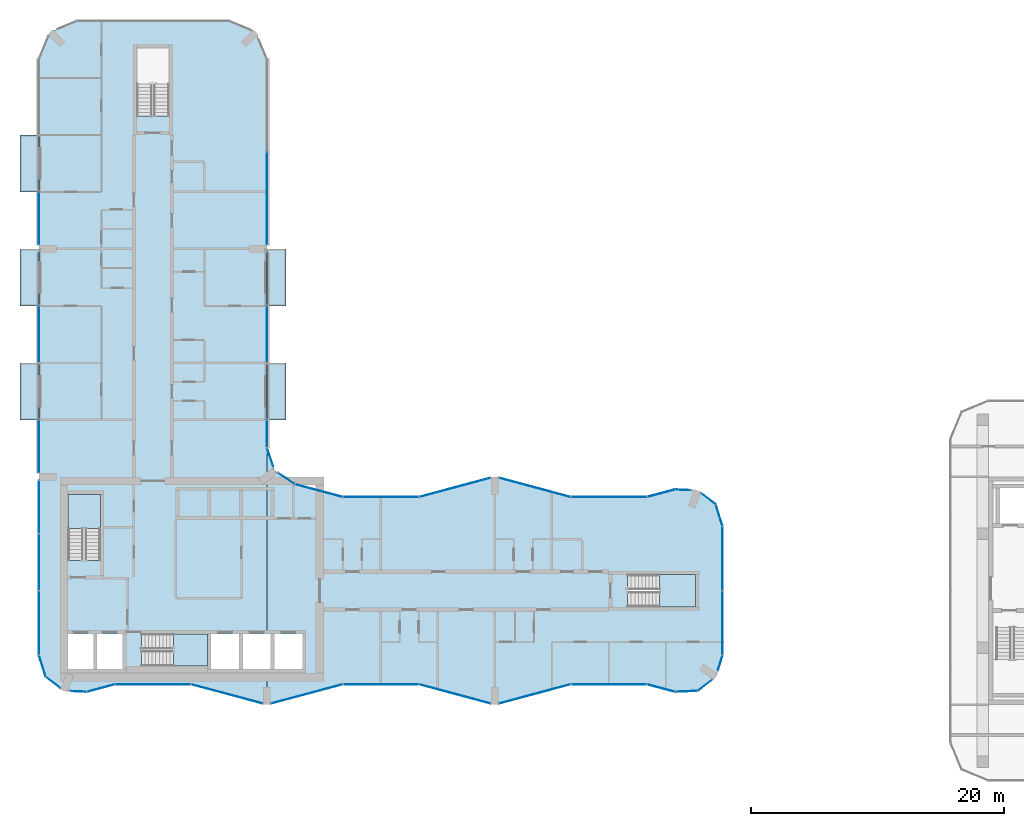
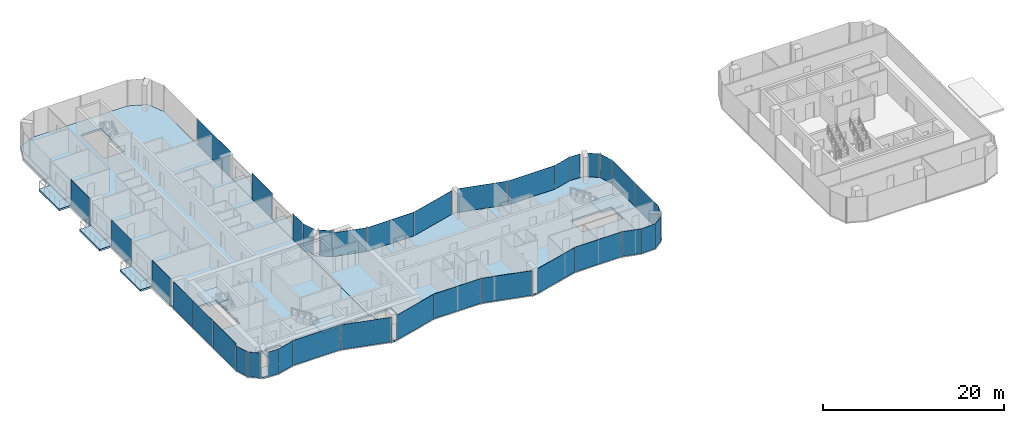
# One storey, part 9 of 19: 37 plates, 10 slabs, 37 elements without a shape of their own.
"""IFC4 building model written with IfcOpenShell, lengths in metres."""

from ifc_helpers import new_model, si_unit, direction, frame, origin, origin_2d, place, context, subcontext, project, spatial, polyline, rectangle, outline, extrude, material, layer, layer_set, type_object, element, aggregate, save


model = new_model("IFC4")

# Units and contexts
model_context = context("Model", 3, precision=1e-05, world=origin(), true_north=direction((0.0, 1.0)))
body_context = subcontext(model_context, "Body", "Model", "MODEL_VIEW")
ifc_project = project(units=[si_unit("LENGTHUNIT", "METRE"), si_unit("AREAUNIT", "SQUARE_METRE"), si_unit("VOLUMEUNIT", "CUBIC_METRE"), si_unit("PLANEANGLEUNIT", "RADIAN"), si_unit("MASSUNIT", "GRAM", prefix="KILO")], contexts=[model_context])

# Site, building, storey
site_placement = place(None, origin())
site = spatial("IfcSite", under=ifc_project, at=site_placement, CompositionType="ELEMENT")
building_placement = place(site_placement, origin())
building = spatial("IfcBuilding", under=site, at=building_placement, Name="Plateau Cross Towers", CompositionType="ELEMENT")
storey_placement = place(building_placement, frame((0.0, 0.0, 120.300048828125)))
storey = spatial("IfcBuildingStorey", under=building, at=storey_placement, Name="L31", CompositionType="ELEMENT", Elevation=120.300048828125)

# Slabs
ifc_material_1 = material(Name="Concrete C40/50", Category="concrete")
ifc_layer_1 = layer(ifc_material_1, 0.25)
ifc_layer_set_1 = layer_set([ifc_layer_1], Name="Concrete C40/50")
slab_type_1 = type_object("IfcSlabType", Name="Balcony slab 250", PredefinedType="FLOOR", material=ifc_layer_set_1)
slab_1_placement = place(storey_placement, frame((0.0, 0.0, -0.25)))
element("IfcSlab", 1, at=slab_1_placement, inside=storey, type_object=slab_type_1, Name="Balcony slab A-BAL-L31-01", PredefinedType="FLOOR", context=body_context, shape_type="SweptSolid", body=[
    extrude(outline(polyline([(0.0, 22.5), (0.0, 27.0), (-1.5, 27.0), (-1.5, 22.5), (0.0, 22.5)])), origin(), (0.0, 0.0, 1.0), 0.25),
])
slab_2_placement = place(storey_placement, frame((0.0, 0.0, -0.25)))
element("IfcSlab", 2, at=slab_2_placement, inside=storey, type_object=slab_type_1, Name="Balcony slab A-BAL-L31-02", PredefinedType="FLOOR", context=body_context, shape_type="SweptSolid", body=[
    extrude(outline(polyline([(0.0, 31.5), (0.0, 36.0), (-1.5, 36.0), (-1.5, 31.5), (0.0, 31.5)])), origin(), (0.0, 0.0, 1.0), 0.25),
])
slab_3_placement = place(storey_placement, frame((0.0, 0.0, -0.25)))
element("IfcSlab", 3, at=slab_3_placement, inside=storey, type_object=slab_type_1, Name="Balcony slab A-BAL-L31-03", PredefinedType="FLOOR", context=body_context, shape_type="SweptSolid", body=[
    extrude(outline(polyline([(0.0, 40.5), (0.0, 45.0), (-1.5, 45.0), (-1.5, 40.5), (0.0, 40.5)])), origin(), (0.0, 0.0, 1.0), 0.25),
])
slab_4_placement = place(storey_placement, frame((0.0, 0.0, -0.25)))
element("IfcSlab", 4, at=slab_4_placement, inside=storey, type_object=slab_type_1, Name="Balcony slab A-BAL-L31-04", PredefinedType="FLOOR", context=body_context, shape_type="SweptSolid", body=[
    extrude(outline(polyline([(19.5, 22.5), (19.5, 27.0), (18.0, 27.0), (18.0, 22.5), (19.5, 22.5)])), origin(), (0.0, 0.0, 1.0), 0.25),
])
slab_5_placement = place(storey_placement, frame((0.0, 0.0, -0.25)))
element("IfcSlab", 5, at=slab_5_placement, inside=storey, type_object=slab_type_1, Name="Balcony slab A-BAL-L31-05", PredefinedType="FLOOR", context=body_context, shape_type="SweptSolid", body=[
    extrude(outline(polyline([(19.5, 31.5), (19.5, 36.0), (18.0, 36.0), (18.0, 31.5), (19.5, 31.5)])), origin(), (0.0, 0.0, 1.0), 0.25),
])

# Curtain wall, plate
ifc_material_2 = material(Name="Dark low-iron glass", Category="glass")
ifc_layer_2 = layer(ifc_material_2, 0.239990234375)
ifc_layer_set_2 = layer_set([ifc_layer_2], Name="Dark low-iron glass")
curtain_wall_type_1 = type_object("IfcCurtainWallType", Name="Curtain wall flush unitised CW-B", PredefinedType="NOTDEFINED", material=ifc_layer_set_2)
curtain_wall_1_placement = place(storey_placement, origin())
curtain_wall_1 = element("IfcCurtainWall", 6, at=curtain_wall_1_placement, inside=storey, type_object=curtain_wall_type_1, Name="ENV/A/L31/A502_10", PredefinedType="NOTDEFINED")
ifc_layer_3 = layer(ifc_material_2, 0.031982421875)
ifc_layer_set_3 = layer_set([ifc_layer_3], Name="Dark low-iron glass")
plate_type_1 = type_object("IfcPlateType", Name="Glass panel 32 flush unitised", PredefinedType="CURTAIN_PANEL", material=ifc_layer_set_3)
plate_1_placement = place(storey_placement, frame((51.125, 1.05078125, -0.130126953125), z_axis=(0.0, 0.0, 1.0), x_axis=(0.999043701491, 0.043722791671, 0.0)))
plate_1 = element("IfcPlate", 7, at=plate_1_placement, type_object=plate_type_1, Name="CW-B panel 1", PredefinedType="CURTAIN_PANEL", context=body_context, shape_type="SweptSolid", body=[
    extrude(rectangle(XDim=1.744140625, YDim=0.031982421875, at=origin_2d()), origin(), (0.0, 0.0, 1.0), 3.330078125),
])
aggregate(curtain_wall_1, [plate_1])

curtain_wall_2_placement = place(storey_placement, origin())
curtain_wall_2 = element("IfcCurtainWall", 8, at=curtain_wall_2_placement, inside=storey, type_object=curtain_wall_type_1, Name="ENV/A/L31/A520_11", PredefinedType="NOTDEFINED")
plate_2_placement = place(storey_placement, frame((52.60986328125, 1.5380859375, -0.130126953125), z_axis=(0.0, 0.0, 1.0), x_axis=(0.793315514529, 0.608810721331, 0.0)))
plate_2 = element("IfcPlate", 9, at=plate_2_placement, type_object=plate_type_1, Name="CW-B panel 1", PredefinedType="CURTAIN_PANEL", context=body_context, shape_type="SweptSolid", body=[
    extrude(rectangle(XDim=1.41162109375, YDim=0.031982421875, at=origin_2d()), origin(), (0.0, 0.0, 1.0), 3.330078125),
])
aggregate(curtain_wall_2, [plate_2])

curtain_wall_3_placement = place(storey_placement, origin())
curtain_wall_3 = element("IfcCurtainWall", 10, at=curtain_wall_3_placement, inside=storey, type_object=curtain_wall_type_1, Name="ENV/A/L31/A536_27", PredefinedType="NOTDEFINED")
plate_3_placement = place(storey_placement, frame((53.805419921875, 3.292236328125, -0.130126953125), z_axis=(0.0, 0.0, 1.0), x_axis=(0.300686174994, 0.95372313811, 0.0)))
plate_3 = element("IfcPlate", 11, at=plate_3_placement, type_object=plate_type_1, Name="CW-B panel 1", PredefinedType="CURTAIN_PANEL", context=body_context, shape_type="SweptSolid", body=[
    extrude(rectangle(XDim=1.233642578125, YDim=0.031982421875, at=origin_2d()), origin(), (0.0, 0.0, 1.0), 3.330078125),
])
aggregate(curtain_wall_3, [plate_3])

# Curtain wall, plates
curtain_wall_4_placement = place(storey_placement, origin())
curtain_wall_4 = element("IfcCurtainWall", 12, at=curtain_wall_4_placement, inside=storey, type_object=curtain_wall_type_1, Name="ENV/A/L31/A540_39", PredefinedType="NOTDEFINED")
plate_4_placement = place(storey_placement, frame((54.0, 6.45458984375, -0.130126953125), z_axis=(0.0, 0.0, 1.0), x_axis=(0.0, 1.0, 0.0)))
plate_4 = element("IfcPlate", 13, at=plate_4_placement, type_object=plate_type_1, Name="CW-B panel 1", PredefinedType="CURTAIN_PANEL", context=body_context, shape_type="SweptSolid", body=[
    extrude(rectangle(XDim=5.03076171875, YDim=0.031982421875, at=origin_2d()), origin(), (0.0, 0.0, 1.0), 3.330078125),
])
plate_5_placement = place(storey_placement, frame((54.0, 11.54541015625, -0.130126953125), z_axis=(0.0, 0.0, 1.0), x_axis=(0.0, 1.0, 0.0)))
plate_5 = element("IfcPlate", 14, at=plate_5_placement, type_object=plate_type_1, Name="CW-B panel 2", PredefinedType="CURTAIN_PANEL", context=body_context, shape_type="SweptSolid", body=[
    extrude(rectangle(XDim=5.03076171875, YDim=0.031982421875, at=origin_2d()), origin(), (0.0, 0.0, 1.0), 3.330078125),
])
aggregate(curtain_wall_4, [plate_4, plate_5])

# Curtain wall, plate
curtain_wall_5_placement = place(storey_placement, origin())
curtain_wall_5 = element("IfcCurtainWall", 15, at=curtain_wall_5_placement, inside=storey, type_object=curtain_wall_type_1, Name="ENV/A/L31/A540_141", PredefinedType="NOTDEFINED")
plate_6_placement = place(storey_placement, frame((53.728759765625, 14.951171875, -0.130126953125), z_axis=(0.0, 0.0, 1.0), x_axis=(-0.300686174994, 0.95372313811, 0.0)))
plate_6 = element("IfcPlate", 16, at=plate_6_placement, type_object=plate_type_1, Name="CW-B panel 1", PredefinedType="CURTAIN_PANEL", context=body_context, shape_type="SweptSolid", body=[
    extrude(rectangle(XDim=1.744140625, YDim=0.031982421875, at=origin_2d()), origin(), (0.0, 0.0, 1.0), 3.330078125),
])
aggregate(curtain_wall_5, [plate_6])

curtain_wall_6_placement = place(storey_placement, origin())
curtain_wall_6 = element("IfcCurtainWall", 17, at=curtain_wall_6_placement, inside=storey, type_object=curtain_wall_type_1, Name="ENV/A/L31/A535_158", PredefinedType="NOTDEFINED")
plate_7_placement = place(storey_placement, frame((52.873779296875, 16.25927734375, -0.130126953125), z_axis=(0.0, 0.0, 1.0), x_axis=(-0.793315514529, 0.608810721331, 0.0)))
plate_7 = element("IfcPlate", 18, at=plate_7_placement, type_object=plate_type_1, Name="CW-B panel 1", PredefinedType="CURTAIN_PANEL", context=body_context, shape_type="SweptSolid", body=[
    extrude(rectangle(XDim=1.41162109375, YDim=0.031982421875, at=origin_2d()), origin(), (0.0, 0.0, 1.0), 3.330078125),
])
aggregate(curtain_wall_6, [plate_7])

curtain_wall_7_placement = place(storey_placement, origin())
curtain_wall_7 = element("IfcCurtainWall", 19, at=curtain_wall_7_placement, inside=storey, type_object=curtain_wall_type_1, Name="ENV/A/L31/A515_169", PredefinedType="NOTDEFINED")
plate_8_placement = place(storey_placement, frame((50.8701171875, 16.96044921875, -0.130126953125), z_axis=(0.0, 0.0, 1.0), x_axis=(-0.999043701491, 0.043722791671, 0.0)))
plate_8 = element("IfcPlate", 20, at=plate_8_placement, type_object=plate_type_1, Name="CW-B panel 1", PredefinedType="CURTAIN_PANEL", context=body_context, shape_type="SweptSolid", body=[
    extrude(rectangle(XDim=1.233642578125, YDim=0.031982421875, at=origin_2d()), origin(), (0.0, 0.0, 1.0), 3.330078125),
])
aggregate(curtain_wall_7, [plate_8])

curtain_wall_8_placement = place(storey_placement, origin())
curtain_wall_8 = element("IfcCurtainWall", 21, at=curtain_wall_8_placement, inside=storey, type_object=curtain_wall_type_1, Name="ENV/A/L31/A202_174", PredefinedType="NOTDEFINED")
plate_9_placement = place(storey_placement, frame((19.546630859375, 17.856689453125, -0.1298828125), z_axis=(0.0, 0.0, 1.0), x_axis=(-0.831521253329, 0.555492938984, 0.0)))
plate_9 = element("IfcPlate", 22, at=plate_9_placement, type_object=plate_type_1, Name="CW-B panel 1", PredefinedType="CURTAIN_PANEL", context=body_context, shape_type="SweptSolid", body=[
    extrude(rectangle(XDim=1.56884765625, YDim=0.031982421875, at=origin_2d()), origin(), (0.0, 0.0, 1.0), 3.6298828125),
])
aggregate(curtain_wall_8, [plate_9])

curtain_wall_9_placement = place(storey_placement, origin())
curtain_wall_9 = element("IfcCurtainWall", 23, at=curtain_wall_9_placement, inside=storey, type_object=curtain_wall_type_1, Name="ENV/A/L31/A185_188", PredefinedType="NOTDEFINED")
plate_10_placement = place(storey_placement, frame((18.26171875, 19.531005859375, -0.1298828125), z_axis=(0.0, 0.0, 1.0), x_axis=(-0.321469161574, 0.94692004845, 0.0)))
plate_10 = element("IfcPlate", 24, at=plate_10_placement, type_object=plate_type_1, Name="CW-B panel 1", PredefinedType="CURTAIN_PANEL", context=body_context, shape_type="SweptSolid", body=[
    extrude(rectangle(XDim=1.56884765625, YDim=0.031982421875, at=origin_2d()), origin(), (0.0, 0.0, 1.0), 3.6298828125),
])
aggregate(curtain_wall_9, [plate_10])

curtain_wall_10_placement = place(storey_placement, origin())
curtain_wall_10 = element("IfcCurtainWall", 25, at=curtain_wall_10_placement, inside=storey, type_object=curtain_wall_type_1, Name="ENV/A/L31/A180_203", PredefinedType="NOTDEFINED")
plate_11_placement = place(storey_placement, frame((18.0, 21.396240234375, -0.1298828125), z_axis=(0.0, 0.0, 1.0), x_axis=(0.0, 1.0, 0.0)))
plate_11 = element("IfcPlate", 26, at=plate_11_placement, type_object=plate_type_1, Name="CW-B panel 1", PredefinedType="CURTAIN_PANEL", context=body_context, shape_type="SweptSolid", body=[
    extrude(rectangle(XDim=2.127685546875, YDim=0.031982421875, at=origin_2d()), origin(), (0.0, 0.0, 1.0), 3.6298828125),
])
aggregate(curtain_wall_10, [plate_11])

curtain_wall_11_placement = place(storey_placement, origin())
curtain_wall_11 = element("IfcCurtainWall", 27, at=curtain_wall_11_placement, inside=storey, type_object=curtain_wall_type_1, Name="ENV/A/L31/A180_270", PredefinedType="NOTDEFINED")
plate_12_placement = place(storey_placement, frame((18.0, 29.25, -0.1298828125), z_axis=(0.0, 0.0, 1.0), x_axis=(0.0, 1.0, 0.0)))
plate_12 = element("IfcPlate", 28, at=plate_12_placement, type_object=plate_type_1, Name="CW-B panel 1", PredefinedType="CURTAIN_PANEL", context=body_context, shape_type="SweptSolid", body=[
    extrude(rectangle(XDim=4.419921875, YDim=0.031982421875, at=origin_2d()), origin(), (0.0, 0.0, 1.0), 3.6298828125),
])
aggregate(curtain_wall_11, [plate_12])

curtain_wall_12_placement = place(storey_placement, origin())
curtain_wall_12 = element("IfcCurtainWall", 29, at=curtain_wall_12_placement, inside=storey, type_object=curtain_wall_type_1, Name="ENV/A/L31/A180_363", PredefinedType="NOTDEFINED")
plate_13_placement = place(storey_placement, frame((18.0, 39.97509765625, -0.1298828125), z_axis=(0.0, 0.0, 1.0), x_axis=(0.0, 1.0, 0.0)))
plate_13 = element("IfcPlate", 30, at=plate_13_placement, type_object=plate_type_1, Name="CW-B panel 1", PredefinedType="CURTAIN_PANEL", context=body_context, shape_type="SweptSolid", body=[
    extrude(rectangle(XDim=7.2900390625, YDim=0.031982421875, at=origin_2d()), origin(), (0.0, 0.0, 1.0), 3.6298828125),
])
aggregate(curtain_wall_12, [plate_13])

curtain_wall_13_placement = place(storey_placement, origin())
curtain_wall_13 = element("IfcCurtainWall", 31, at=curtain_wall_13_placement, inside=storey, type_object=curtain_wall_type_1, Name="ENV/A/L31/A0_405", PredefinedType="NOTDEFINED")
plate_14_placement = place(storey_placement, frame((0.0, 38.39501953125, -0.1298828125), z_axis=(0.0, 0.0, 1.0), x_axis=(0.0, -1.0, 0.0)))
plate_14 = element("IfcPlate", 32, at=plate_14_placement, type_object=plate_type_1, Name="CW-B panel 1", PredefinedType="CURTAIN_PANEL", context=body_context, shape_type="SweptSolid", body=[
    extrude(rectangle(XDim=4.1298828125, YDim=0.031982421875, at=origin_2d()), origin(), (0.0, 0.0, 1.0), 3.6298828125),
])
aggregate(curtain_wall_13, [plate_14])

curtain_wall_14_placement = place(storey_placement, origin())
curtain_wall_14 = element("IfcCurtainWall", 33, at=curtain_wall_14_placement, inside=storey, type_object=curtain_wall_type_1, Name="ENV/A/L31/A0_315", PredefinedType="NOTDEFINED")
plate_15_placement = place(storey_placement, frame((0.0, 29.25, -0.1298828125), z_axis=(0.0, 0.0, 1.0), x_axis=(0.0, -1.0, 0.0)))
plate_15 = element("IfcPlate", 34, at=plate_15_placement, type_object=plate_type_1, Name="CW-B panel 1", PredefinedType="CURTAIN_PANEL", context=body_context, shape_type="SweptSolid", body=[
    extrude(rectangle(XDim=4.419921875, YDim=0.031982421875, at=origin_2d()), origin(), (0.0, 0.0, 1.0), 3.6298828125),
])
aggregate(curtain_wall_14, [plate_15])

curtain_wall_15_placement = place(storey_placement, origin())
curtain_wall_15 = element("IfcCurtainWall", 35, at=curtain_wall_15_placement, inside=storey, type_object=curtain_wall_type_1, Name="ENV/A/L31/A0_225", PredefinedType="NOTDEFINED")
plate_16_placement = place(storey_placement, frame((0.0, 20.39501953125, -0.1298828125), z_axis=(0.0, 0.0, 1.0), x_axis=(0.0, -1.0, 0.0)))
plate_16 = element("IfcPlate", 36, at=plate_16_placement, type_object=plate_type_1, Name="CW-B panel 1", PredefinedType="CURTAIN_PANEL", context=body_context, shape_type="SweptSolid", body=[
    extrude(rectangle(XDim=4.1298828125, YDim=0.031982421875, at=origin_2d()), origin(), (0.0, 0.0, 1.0), 3.6298828125),
])
aggregate(curtain_wall_15, [plate_16])

# Curtain wall, plates
curtain_wall_16_placement = place(storey_placement, origin())
curtain_wall_16 = element("IfcCurtainWall", 37, at=curtain_wall_16_placement, inside=storey, type_object=curtain_wall_type_1, Name="ENV/A/L31/A0_177", PredefinedType="NOTDEFINED")
plate_17_placement = place(storey_placement, frame((0.0, 15.60009765625, -0.1298828125), z_axis=(0.0, 0.0, 1.0), x_axis=(0.0, -1.0, 0.0)))
plate_17 = element("IfcPlate", 38, at=plate_17_placement, type_object=plate_type_1, Name="CW-B panel 1", PredefinedType="CURTAIN_PANEL", context=body_context, shape_type="SweptSolid", body=[
    extrude(rectangle(XDim=4.139892578125, YDim=0.031982421875, at=origin_2d()), origin(), (0.0, 0.0, 1.0), 3.6298828125),
])
plate_18_placement = place(storey_placement, frame((0.0, 11.25, -0.1298828125), z_axis=(0.0, 0.0, 1.0), x_axis=(0.0, -1.0, 0.0)))
plate_18 = element("IfcPlate", 39, at=plate_18_placement, type_object=plate_type_1, Name="CW-B panel 2", PredefinedType="CURTAIN_PANEL", context=body_context, shape_type="SweptSolid", body=[
    extrude(rectangle(XDim=4.43994140625, YDim=0.031982421875, at=origin_2d()), origin(), (0.0, 0.0, 1.0), 3.6298828125),
])
plate_19_placement = place(storey_placement, frame((0.0, 6.45458984375, -0.1298828125), z_axis=(0.0, 0.0, 1.0), x_axis=(0.0, -1.0, 0.0)))
plate_19 = element("IfcPlate", 40, at=plate_19_placement, type_object=plate_type_1, Name="CW-B panel 3", PredefinedType="CURTAIN_PANEL", context=body_context, shape_type="SweptSolid", body=[
    extrude(rectangle(XDim=5.03076171875, YDim=0.031982421875, at=origin_2d()), origin(), (0.0, 0.0, 1.0), 3.6298828125),
])
aggregate(curtain_wall_16, [plate_17, plate_18, plate_19])

# Curtain wall, plate
curtain_wall_17_placement = place(storey_placement, origin())
curtain_wall_17 = element("IfcCurtainWall", 41, at=curtain_wall_17_placement, inside=storey, type_object=curtain_wall_type_1, Name="ENV/A/L31/A0_39", PredefinedType="NOTDEFINED")
plate_20_placement = place(storey_placement, frame((0.271240234375, 3.048828125, -0.130126953125), z_axis=(0.0, 0.0, 1.0), x_axis=(0.300686174994, -0.95372313811, 0.0)))
plate_20 = element("IfcPlate", 42, at=plate_20_placement, type_object=plate_type_1, Name="CW-B panel 1", PredefinedType="CURTAIN_PANEL", context=body_context, shape_type="SweptSolid", body=[
    extrude(rectangle(XDim=1.744140625, YDim=0.031982421875, at=origin_2d()), origin(), (0.0, 0.0, 1.0), 3.330078125),
])
aggregate(curtain_wall_17, [plate_20])

curtain_wall_18_placement = place(storey_placement, origin())
curtain_wall_18 = element("IfcCurtainWall", 43, at=curtain_wall_18_placement, inside=storey, type_object=curtain_wall_type_1, Name="ENV/A/L31/A5_22", PredefinedType="NOTDEFINED")
plate_21_placement = place(storey_placement, frame((1.126220703125, 1.74072265625, -0.130126953125), z_axis=(0.0, 0.0, 1.0), x_axis=(0.793315514529, -0.608810721331, 0.0)))
plate_21 = element("IfcPlate", 44, at=plate_21_placement, type_object=plate_type_1, Name="CW-B panel 1", PredefinedType="CURTAIN_PANEL", context=body_context, shape_type="SweptSolid", body=[
    extrude(rectangle(XDim=1.41162109375, YDim=0.031982421875, at=origin_2d()), origin(), (0.0, 0.0, 1.0), 3.330078125),
])
aggregate(curtain_wall_18, [plate_21])

curtain_wall_19_placement = place(storey_placement, origin())
curtain_wall_19 = element("IfcCurtainWall", 45, at=curtain_wall_19_placement, inside=storey, type_object=curtain_wall_type_1, Name="ENV/A/L31/A25_11", PredefinedType="NOTDEFINED")
plate_22_placement = place(storey_placement, frame((3.1298828125, 1.03955078125, -0.130126953125), z_axis=(0.0, 0.0, 1.0), x_axis=(0.999043701491, -0.043722791671, 0.0)))
plate_22 = element("IfcPlate", 46, at=plate_22_placement, type_object=plate_type_1, Name="CW-B panel 1", PredefinedType="CURTAIN_PANEL", context=body_context, shape_type="SweptSolid", body=[
    extrude(rectangle(XDim=1.233642578125, YDim=0.031982421875, at=origin_2d()), origin(), (0.0, 0.0, 1.0), 3.330078125),
])
aggregate(curtain_wall_19, [plate_22])

ifc_layer_4 = layer(ifc_material_2, 0.260009765625)
ifc_layer_set_4 = layer_set([ifc_layer_4], Name="Dark low-iron glass")
curtain_wall_type_2 = type_object("IfcCurtainWallType", Name="Curtain wall fluted unitised CW-A", PredefinedType="NOTDEFINED", material=ifc_layer_set_4)
curtain_wall_20_placement = place(storey_placement, origin())
curtain_wall_20 = element("IfcCurtainWall", 47, at=curtain_wall_20_placement, inside=storey, type_object=curtain_wall_type_2, Name="ENV/A/L31/A38_10", PredefinedType="NOTDEFINED")
ifc_layer_5 = layer(ifc_material_2, 0.035888671875)
ifc_layer_set_5 = layer_set([ifc_layer_5], Name="Dark low-iron glass")
plate_type_2 = type_object("IfcPlateType", Name="Glass panel 36 fluted unitised", PredefinedType="CURTAIN_PANEL", material=ifc_layer_set_5)
plate_23_placement = place(storey_placement, frame((4.887939453125, 1.30908203125, -0.130126953125), z_axis=(0.0, 0.0, 1.0), x_axis=(0.965957962328, 0.258699081978, 0.0)))
plate_23 = element("IfcPlate", 48, at=plate_23_placement, type_object=plate_type_2, Name="CW-A panel 1", PredefinedType="CURTAIN_PANEL", context=body_context, shape_type="SweptSolid", body=[
    extrude(rectangle(XDim=2.2421875, YDim=0.035888671875, at=origin_2d()), origin(), (0.0, 0.0, 1.0), 3.330078125),
])
aggregate(curtain_wall_20, [plate_23])

curtain_wall_21_placement = place(storey_placement, origin())
curtain_wall_21 = element("IfcCurtainWall", 49, at=curtain_wall_21_placement, inside=storey, type_object=curtain_wall_type_2, Name="ENV/A/L31/A60_16", PredefinedType="NOTDEFINED")
plate_24_placement = place(storey_placement, frame((9.0, 1.60693359375, -0.130126953125), z_axis=(0.0, 0.0, 1.0), x_axis=(1.0, 0.0, 0.0)))
plate_24 = element("IfcPlate", 50, at=plate_24_placement, type_object=plate_type_2, Name="CW-A panel 1", PredefinedType="CURTAIN_PANEL", context=body_context, shape_type="SweptSolid", body=[
    extrude(rectangle(XDim=5.93994140625, YDim=0.035888671875, at=origin_2d()), origin(), (0.0, 0.0, 1.0), 3.330078125),
])
aggregate(curtain_wall_21, [plate_24])

curtain_wall_22_placement = place(storey_placement, origin())
curtain_wall_22 = element("IfcCurtainWall", 51, at=curtain_wall_22_placement, inside=storey, type_object=curtain_wall_type_2, Name="ENV/A/L31/A120_16", PredefinedType="NOTDEFINED")
plate_25_placement = place(storey_placement, frame((14.841064453125, 0.845947265625, -0.130126953125), z_axis=(0.0, 0.0, 1.0), x_axis=(0.965957983404, -0.258699003279, 0.0)))
plate_25 = element("IfcPlate", 52, at=plate_25_placement, type_object=plate_type_2, Name="CW-A panel 1", PredefinedType="CURTAIN_PANEL", context=body_context, shape_type="SweptSolid", body=[
    extrude(rectangle(XDim=5.822265625, YDim=0.035888671875, at=origin_2d()), origin(), (0.0, 0.0, 1.0), 3.330078125),
])
aggregate(curtain_wall_22, [plate_25])

curtain_wall_23_placement = place(storey_placement, origin())
curtain_wall_23 = element("IfcCurtainWall", 53, at=curtain_wall_23_placement, inside=storey, type_object=curtain_wall_type_2, Name="ENV/A/L31/A183_1", PredefinedType="NOTDEFINED")
plate_26_placement = place(storey_placement, frame((21.158935546875, 0.845947265625, -0.130126953125), z_axis=(0.0, 0.0, 1.0), x_axis=(0.965957983404, 0.258699003279, 0.0)))
plate_26 = element("IfcPlate", 54, at=plate_26_placement, type_object=plate_type_2, Name="CW-A panel 1", PredefinedType="CURTAIN_PANEL", context=body_context, shape_type="SweptSolid", body=[
    extrude(rectangle(XDim=5.822265625, YDim=0.035888671875, at=origin_2d()), origin(), (0.0, 0.0, 1.0), 3.330078125),
])
aggregate(curtain_wall_23, [plate_26])

curtain_wall_24_placement = place(storey_placement, origin())
curtain_wall_24 = element("IfcCurtainWall", 55, at=curtain_wall_24_placement, inside=storey, type_object=curtain_wall_type_2, Name="ENV/A/L31/A240_16", PredefinedType="NOTDEFINED")
plate_27_placement = place(storey_placement, frame((27.0, 1.60693359375, -0.130126953125), z_axis=(0.0, 0.0, 1.0), x_axis=(1.0, 0.0, 0.0)))
plate_27 = element("IfcPlate", 56, at=plate_27_placement, type_object=plate_type_2, Name="CW-A panel 1", PredefinedType="CURTAIN_PANEL", context=body_context, shape_type="SweptSolid", body=[
    extrude(rectangle(XDim=5.93994140625, YDim=0.035888671875, at=origin_2d()), origin(), (0.0, 0.0, 1.0), 3.330078125),
])
aggregate(curtain_wall_24, [plate_27])

curtain_wall_25_placement = place(storey_placement, origin())
curtain_wall_25 = element("IfcCurtainWall", 57, at=curtain_wall_25_placement, inside=storey, type_object=curtain_wall_type_2, Name="ENV/A/L31/A300_16", PredefinedType="NOTDEFINED")
plate_28_placement = place(storey_placement, frame((32.841064453125, 0.845947265625, -0.130126953125), z_axis=(0.0, 0.0, 1.0), x_axis=(0.965957983404, -0.258699003279, 0.0)))
plate_28 = element("IfcPlate", 58, at=plate_28_placement, type_object=plate_type_2, Name="CW-A panel 1", PredefinedType="CURTAIN_PANEL", context=body_context, shape_type="SweptSolid", body=[
    extrude(rectangle(XDim=5.822265625, YDim=0.035888671875, at=origin_2d()), origin(), (0.0, 0.0, 1.0), 3.330078125),
])
aggregate(curtain_wall_25, [plate_28])

curtain_wall_26_placement = place(storey_placement, origin())
curtain_wall_26 = element("IfcCurtainWall", 59, at=curtain_wall_26_placement, inside=storey, type_object=curtain_wall_type_2, Name="ENV/A/L31/A363_1", PredefinedType="NOTDEFINED")
plate_29_placement = place(storey_placement, frame((39.158935546875, 0.845947265625, -0.130126953125), z_axis=(0.0, 0.0, 1.0), x_axis=(0.965957983404, 0.258699003279, 0.0)))
plate_29 = element("IfcPlate", 60, at=plate_29_placement, type_object=plate_type_2, Name="CW-A panel 1", PredefinedType="CURTAIN_PANEL", context=body_context, shape_type="SweptSolid", body=[
    extrude(rectangle(XDim=5.822265625, YDim=0.035888671875, at=origin_2d()), origin(), (0.0, 0.0, 1.0), 3.330078125),
])
aggregate(curtain_wall_26, [plate_29])

curtain_wall_27_placement = place(storey_placement, origin())
curtain_wall_27 = element("IfcCurtainWall", 61, at=curtain_wall_27_placement, inside=storey, type_object=curtain_wall_type_2, Name="ENV/A/L31/A420_16", PredefinedType="NOTDEFINED")
plate_30_placement = place(storey_placement, frame((45.0, 1.60693359375, -0.130126953125), z_axis=(0.0, 0.0, 1.0), x_axis=(1.0, 0.0, 0.0)))
plate_30 = element("IfcPlate", 62, at=plate_30_placement, type_object=plate_type_2, Name="CW-A panel 1", PredefinedType="CURTAIN_PANEL", context=body_context, shape_type="SweptSolid", body=[
    extrude(rectangle(XDim=5.93994140625, YDim=0.035888671875, at=origin_2d()), origin(), (0.0, 0.0, 1.0), 3.330078125),
])
aggregate(curtain_wall_27, [plate_30])

curtain_wall_28_placement = place(storey_placement, origin())
curtain_wall_28 = element("IfcCurtainWall", 63, at=curtain_wall_28_placement, inside=storey, type_object=curtain_wall_type_2, Name="ENV/A/L31/A480_16", PredefinedType="NOTDEFINED")
plate_31_placement = place(storey_placement, frame((49.112060546875, 1.30908203125, -0.130126953125), z_axis=(0.0, 0.0, 1.0), x_axis=(0.965957962328, -0.258699081978, 0.0)))
plate_31 = element("IfcPlate", 64, at=plate_31_placement, type_object=plate_type_2, Name="CW-A panel 1", PredefinedType="CURTAIN_PANEL", context=body_context, shape_type="SweptSolid", body=[
    extrude(rectangle(XDim=2.2421875, YDim=0.035888671875, at=origin_2d()), origin(), (0.0, 0.0, 1.0), 3.330078125),
])
aggregate(curtain_wall_28, [plate_31])

curtain_wall_29_placement = place(storey_placement, origin())
curtain_wall_29 = element("IfcCurtainWall", 65, at=curtain_wall_29_placement, inside=storey, type_object=curtain_wall_type_2, Name="ENV/A/L31/A502_170", PredefinedType="NOTDEFINED")
plate_32_placement = place(storey_placement, frame((49.112060546875, 16.69091796875, -0.130126953125), z_axis=(0.0, 0.0, 1.0), x_axis=(-0.965957962328, -0.258699081978, 0.0)))
plate_32 = element("IfcPlate", 66, at=plate_32_placement, type_object=plate_type_2, Name="CW-A panel 1", PredefinedType="CURTAIN_PANEL", context=body_context, shape_type="SweptSolid", body=[
    extrude(rectangle(XDim=2.2421875, YDim=0.035888671875, at=origin_2d()), origin(), (0.0, 0.0, 1.0), 3.330078125),
])
aggregate(curtain_wall_29, [plate_32])

curtain_wall_30_placement = place(storey_placement, origin())
curtain_wall_30 = element("IfcCurtainWall", 67, at=curtain_wall_30_placement, inside=storey, type_object=curtain_wall_type_2, Name="ENV/A/L31/A480_164", PredefinedType="NOTDEFINED")
plate_33_placement = place(storey_placement, frame((45.0, 16.39306640625, -0.130126953125), z_axis=(0.0, 0.0, 1.0), x_axis=(-1.0, 0.0, 0.0)))
plate_33 = element("IfcPlate", 68, at=plate_33_placement, type_object=plate_type_2, Name="CW-A panel 1", PredefinedType="CURTAIN_PANEL", context=body_context, shape_type="SweptSolid", body=[
    extrude(rectangle(XDim=5.93994140625, YDim=0.035888671875, at=origin_2d()), origin(), (0.0, 0.0, 1.0), 3.330078125),
])
aggregate(curtain_wall_30, [plate_33])

curtain_wall_31_placement = place(storey_placement, origin())
curtain_wall_31 = element("IfcCurtainWall", 69, at=curtain_wall_31_placement, inside=storey, type_object=curtain_wall_type_2, Name="ENV/A/L31/A420_164", PredefinedType="NOTDEFINED")
plate_34_placement = place(storey_placement, frame((39.158935546875, 17.154052734375, -0.130126953125), z_axis=(0.0, 0.0, 1.0), x_axis=(-0.965957983404, 0.258699003279, 0.0)))
plate_34 = element("IfcPlate", 70, at=plate_34_placement, type_object=plate_type_2, Name="CW-A panel 1", PredefinedType="CURTAIN_PANEL", context=body_context, shape_type="SweptSolid", body=[
    extrude(rectangle(XDim=5.822265625, YDim=0.035888671875, at=origin_2d()), origin(), (0.0, 0.0, 1.0), 3.330078125),
])
aggregate(curtain_wall_31, [plate_34])

curtain_wall_32_placement = place(storey_placement, origin())
curtain_wall_32 = element("IfcCurtainWall", 71, at=curtain_wall_32_placement, inside=storey, type_object=curtain_wall_type_2, Name="ENV/A/L31/A357_179", PredefinedType="NOTDEFINED")
plate_35_placement = place(storey_placement, frame((32.841064453125, 17.154052734375, -0.130126953125), z_axis=(0.0, 0.0, 1.0), x_axis=(-0.965957983404, -0.258699003279, 0.0)))
plate_35 = element("IfcPlate", 72, at=plate_35_placement, type_object=plate_type_2, Name="CW-A panel 1", PredefinedType="CURTAIN_PANEL", context=body_context, shape_type="SweptSolid", body=[
    extrude(rectangle(XDim=5.822265625, YDim=0.035888671875, at=origin_2d()), origin(), (0.0, 0.0, 1.0), 3.330078125),
])
aggregate(curtain_wall_32, [plate_35])

curtain_wall_33_placement = place(storey_placement, origin())
curtain_wall_33 = element("IfcCurtainWall", 73, at=curtain_wall_33_placement, inside=storey, type_object=curtain_wall_type_2, Name="ENV/A/L31/A300_164", PredefinedType="NOTDEFINED")
plate_36_placement = place(storey_placement, frame((27.0, 16.39306640625, -0.130126953125), z_axis=(0.0, 0.0, 1.0), x_axis=(-1.0, 0.0, 0.0)))
plate_36 = element("IfcPlate", 74, at=plate_36_placement, type_object=plate_type_2, Name="CW-A panel 1", PredefinedType="CURTAIN_PANEL", context=body_context, shape_type="SweptSolid", body=[
    extrude(rectangle(XDim=5.93994140625, YDim=0.035888671875, at=origin_2d()), origin(), (0.0, 0.0, 1.0), 3.330078125),
])
aggregate(curtain_wall_33, [plate_36])

curtain_wall_34_placement = place(storey_placement, origin())
curtain_wall_34 = element("IfcCurtainWall", 75, at=curtain_wall_34_placement, inside=storey, type_object=curtain_wall_type_2, Name="ENV/A/L31/A240_164", PredefinedType="NOTDEFINED")
plate_37_placement = place(storey_placement, frame((22.112060546875, 16.898681640625, -0.130126953125), z_axis=(0.0, 0.0, 1.0), x_axis=(-0.965957995816, 0.258698956933, 0.0)))
plate_37 = element("IfcPlate", 76, at=plate_37_placement, type_object=plate_type_2, Name="CW-A panel 1", PredefinedType="CURTAIN_PANEL", context=body_context, shape_type="SweptSolid", body=[
    extrude(rectangle(XDim=3.84912109375, YDim=0.035888671875, at=origin_2d()), origin(), (0.0, 0.0, 1.0), 3.330078125),
])
aggregate(curtain_wall_34, [plate_37])

# Slabs
ifc_layer_6 = layer(ifc_material_1, 0.25)
ifc_layer_set_6 = layer_set([ifc_layer_6], Name="Concrete C40/50")
slab_type_2 = type_object("IfcSlabType", Name="Post-tensioned flat plate slab 250", PredefinedType="FLOOR", material=ifc_layer_set_6)
slab_6_placement = place(storey_placement, frame((0.0, 0.0, -0.25)))
element("IfcSlab", 77, at=slab_6_placement, inside=storey, type_object=slab_type_2, Name="SL-A-L31 1", PredefinedType="FLOOR", context=body_context, shape_type="SweptSolid", body=[
    extrude(outline(polyline([(0.54248046875, 2.1884765625), (0.0, 3.9091796875), (0.0, 51.0), (0.878662109375, 53.121337890625), (3.0, 54.0), (15.0, 54.0), (17.121337890625, 53.121337890625), (18.0, 51.0), (18.0, 20.30224609375), (18.0, 5.60009765625), (16.10009765625, 5.60009765625), (16.10009765625, 2.800048828125), (18.0, 2.800048828125), (18.0, 0.0), (12.0, 1.60693359375), (6.0, 1.60693359375), (3.776123046875, 1.01123046875), (1.9736328125, 1.090087890625), (0.54248046875, 2.1884765625)]), holes=[polyline([(4.300048828125, 5.60009765625), (2.300048828125, 5.60009765625), (2.300048828125, 2.800048828125), (4.300048828125, 2.800048828125), (4.300048828125, 5.60009765625)]), polyline([(6.60009765625, 5.60009765625), (4.60009765625, 5.60009765625), (4.60009765625, 2.800048828125), (6.60009765625, 2.800048828125), (6.60009765625, 5.60009765625)]), polyline([(15.800048828125, 5.60009765625), (13.60009765625, 5.60009765625), (13.60009765625, 2.800048828125), (15.800048828125, 2.800048828125), (15.800048828125, 5.60009765625)]), polyline([(13.300048828125, 5.60009765625), (8.10009765625, 5.60009765625), (8.10009765625, 3.050048828125), (13.300048828125, 3.050048828125), (13.300048828125, 5.60009765625)]), polyline([(4.85009765625, 16.60009765625), (2.300048828125, 16.60009765625), (2.300048828125, 11.39990234375), (4.85009765625, 11.39990234375), (4.85009765625, 16.60009765625)]), polyline([(10.27490234375, 51.699951171875), (7.72509765625, 51.699951171875), (7.72509765625, 46.5), (10.27490234375, 46.5), (10.27490234375, 51.699951171875)])]), origin(), (0.0, 0.0, 1.0), 0.25),
])
slab_7_placement = place(storey_placement, frame((0.0, 0.0, -0.25)))
element("IfcSlab", 78, at=slab_7_placement, inside=storey, type_object=slab_type_2, Name="SL-A-L31 2", PredefinedType="FLOOR", context=body_context, shape_type="SweptSolid", body=[
    extrude(outline(polyline([(18.6201171875, 18.475830078125), (20.223876953125, 17.404296875), (24.0, 16.39306640625), (30.0, 16.39306640625), (36.0, 18.0), (42.0, 16.39306640625), (48.0, 16.39306640625), (50.223876953125, 16.98876953125), (52.0263671875, 16.909912109375), (53.45751953125, 15.8115234375), (54.0, 14.0908203125), (54.0, 3.9091796875), (53.45751953125, 2.1884765625), (52.0263671875, 1.090087890625), (50.223876953125, 1.01123046875), (48.0, 1.60693359375), (42.0, 1.60693359375), (36.0, 0.0), (30.0, 1.60693359375), (24.0, 1.60693359375), (18.0, 0.0), (18.0, 2.800048828125), (18.300048828125, 2.800048828125), (18.300048828125, 5.60009765625), (18.0, 5.60009765625), (18.0, 20.30224609375), (18.6201171875, 18.475830078125)]), holes=[polyline([(20.800048828125, 5.60009765625), (18.60009765625, 5.60009765625), (18.60009765625, 2.800048828125), (20.800048828125, 2.800048828125), (20.800048828125, 5.60009765625)]), polyline([(51.699951171875, 10.27490234375), (46.5, 10.27490234375), (46.5, 7.72509765625), (51.699951171875, 7.72509765625), (51.699951171875, 10.27490234375)])]), origin(), (0.0, 0.0, 1.0), 0.25),
])

# Stair, slab
stair_type = type_object("IfcStairType", Name="ST-TWR", PredefinedType="HALF_TURN_STAIR", material=ifc_material_1)
stair_1_placement = place(storey_placement, origin())
stair_1 = element("IfcStair", 79, at=stair_1_placement, inside=storey, type_object=stair_type, Name="L31 Protected Exit Stair ST-1", PredefinedType="HALF_TURN_STAIR")
ifc_layer_7 = layer(ifc_material_1, 0.199951171875)
ifc_layer_set_7 = layer_set([ifc_layer_7], Name="Concrete C40/50")
slab_type_3 = type_object("IfcSlabType", Name="SL-LANDING", PredefinedType="LANDING", material=ifc_layer_set_7)
slab_8_placement = place(storey_placement, frame((0.0, 0.0, 1.550048828125)))
slab_8 = element("IfcSlab", 80, at=slab_8_placement, type_object=slab_type_3, Name="ST-1 landing 1", PredefinedType="LANDING", context=body_context, shape_type="SweptSolid", body=[
    extrude(outline(polyline([(4.85009765625, 13.919921875), (4.85009765625, 16.60009765625), (2.300048828125, 16.60009765625), (2.300048828125, 13.919921875), (4.85009765625, 13.919921875)])), origin(), (0.0, 0.0, 1.0), 0.199951171875),
])
aggregate(stair_1, [slab_8])

stair_2_placement = place(storey_placement, origin())
stair_2 = element("IfcStair", 81, at=stair_2_placement, inside=storey, type_object=stair_type, Name="L31 Protected Exit Stair ST-2", PredefinedType="HALF_TURN_STAIR")
slab_9_placement = place(storey_placement, frame((0.0, 0.0, 1.550048828125)))
slab_9 = element("IfcSlab", 82, at=slab_9_placement, type_object=slab_type_3, Name="ST-2 landing 1", PredefinedType="LANDING", context=body_context, shape_type="SweptSolid", body=[
    extrude(outline(polyline([(10.6201171875, 3.050048828125), (13.300048828125, 3.050048828125), (13.300048828125, 5.60009765625), (10.6201171875, 5.60009765625), (10.6201171875, 3.050048828125)])), origin(), (0.0, 0.0, 1.0), 0.199951171875),
])
aggregate(stair_2, [slab_9])

stair_3_placement = place(storey_placement, origin())
stair_3 = element("IfcStair", 83, at=stair_3_placement, inside=storey, type_object=stair_type, Name="L31 Protected Exit Stair E", PredefinedType="HALF_TURN_STAIR")
slab_10_placement = place(storey_placement, frame((0.0, 0.0, 1.550048828125)))
slab_10 = element("IfcSlab", 84, at=slab_10_placement, type_object=slab_type_3, Name="ES-E landing 1", PredefinedType="LANDING", context=body_context, shape_type="SweptSolid", body=[
    extrude(outline(polyline([(49.02001953125, 7.72509765625), (51.85009765625, 7.72509765625), (51.85009765625, 10.27490234375), (49.02001953125, 10.27490234375), (49.02001953125, 7.72509765625)])), origin(), (0.0, 0.0, 1.0), 0.199951171875),
])
aggregate(stair_3, [slab_10])

save(model, "model.ifc")
